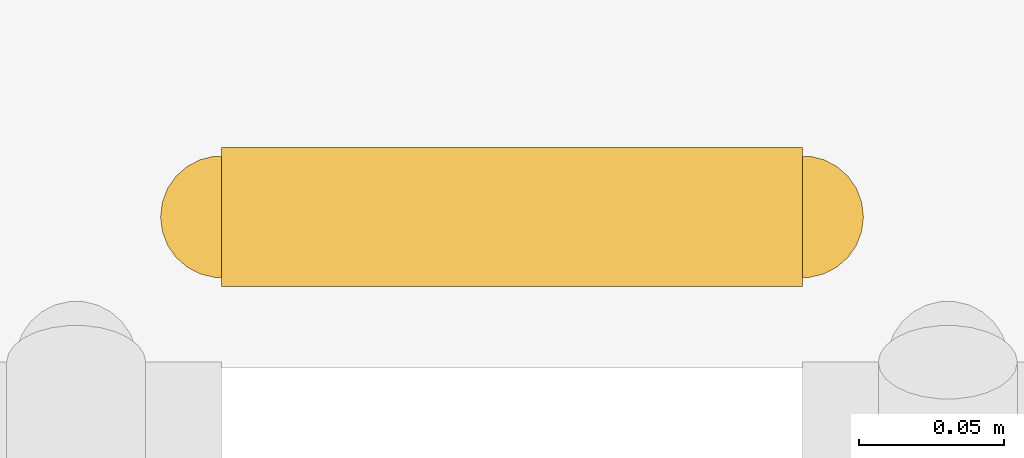
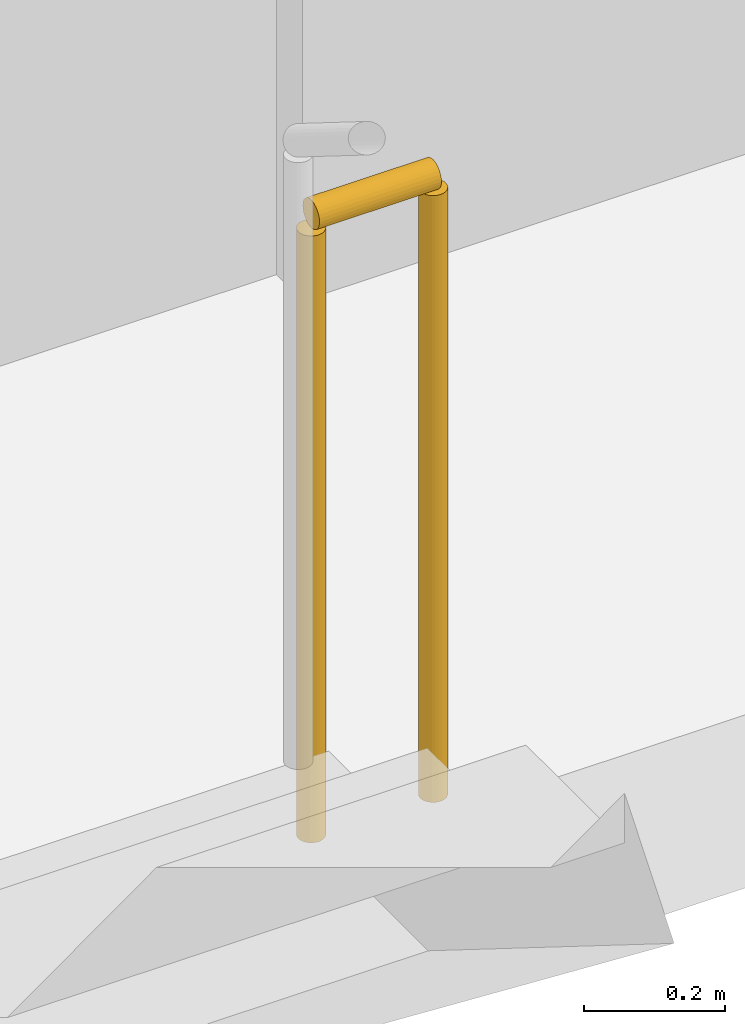
# One storey, part 22 of 22: 1 railing.
"""IFC4 building model written with IfcOpenShell, lengths in metres."""

from ifc_helpers import new_model, si_unit, direction, frame, origin, origin_2d, place, context, subcontext, project, spatial, circle, extrude, material, type_object, element, save


model = new_model("IFC4")

# Units and contexts
model_context = context("Model", 3, precision=1e-05, world=origin(), true_north=direction((0.0, 1.0)))
body_context = subcontext(model_context, "Body", "Model", "MODEL_VIEW")
ifc_project = project(units=[si_unit("LENGTHUNIT", "METRE"), si_unit("AREAUNIT", "SQUARE_METRE"), si_unit("VOLUMEUNIT", "CUBIC_METRE"), si_unit("PLANEANGLEUNIT", "RADIAN"), si_unit("MASSUNIT", "GRAM", prefix="KILO")], contexts=[model_context])

# Site, building, storey
site_placement = place(None, origin())
site = spatial("IfcSite", under=ifc_project, at=site_placement, CompositionType="ELEMENT")
building_placement = place(site_placement, origin())
building = spatial("IfcBuilding", under=site, at=building_placement, Name="Kiln Ring Residences", CompositionType="ELEMENT")
storey_placement = place(building_placement, frame((0.0, 0.0, 65.5)))
storey = spatial("IfcBuildingStorey", under=building, at=storey_placement, Name="L16", CompositionType="ELEMENT", Elevation=65.5)

# Railing
ifc_material = material(Name="Stainless steel", Category="steel")
railing_type = type_object("IfcRailingType", Name="CORE-STAIR-GUARD", PredefinedType="GUARDRAIL", material=ifc_material)
railing_placement = place(storey_placement, frame((22.0, 8.449951171875, 0.0)))
element("IfcRailing", 1, at=railing_placement, inside=storey, type_object=railing_type, Name="L16 E-STN stair guard 4", PredefinedType="GUARDRAIL", context=body_context, shape_type="SweptSolid", body=[
    extrude(circle(Radius=0.02392578125, at=origin_2d()), frame((0.0, 0.0, 1.076171875), z_axis=(1.0, 0.0, 0.0), x_axis=(0.0, 1.0, 0.0)), (0.0, 0.0, 1.0), 0.199951171875),
    extrude(circle(Radius=0.02099609375, at=origin_2d()), origin(), (0.0, 0.0, 1.0), 1.052001953125),
    extrude(circle(Radius=0.02099609375, at=origin_2d()), frame((0.199951171875, 0.0, 0.0)), (0.0, 0.0, 1.0), 1.052001953125),
])

save(model, "model.ifc")
